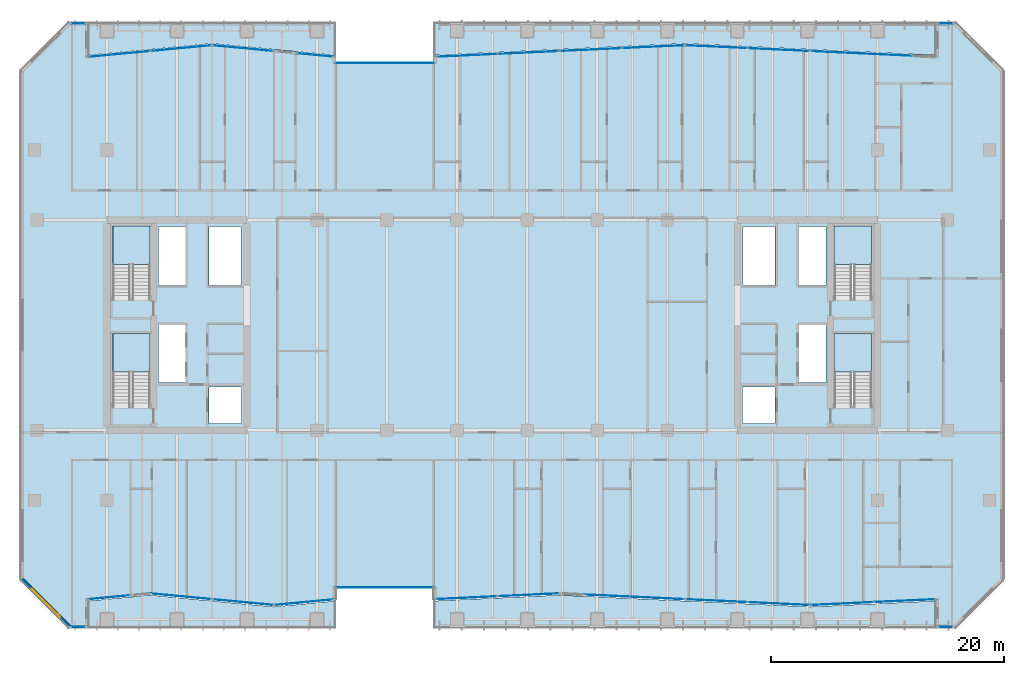
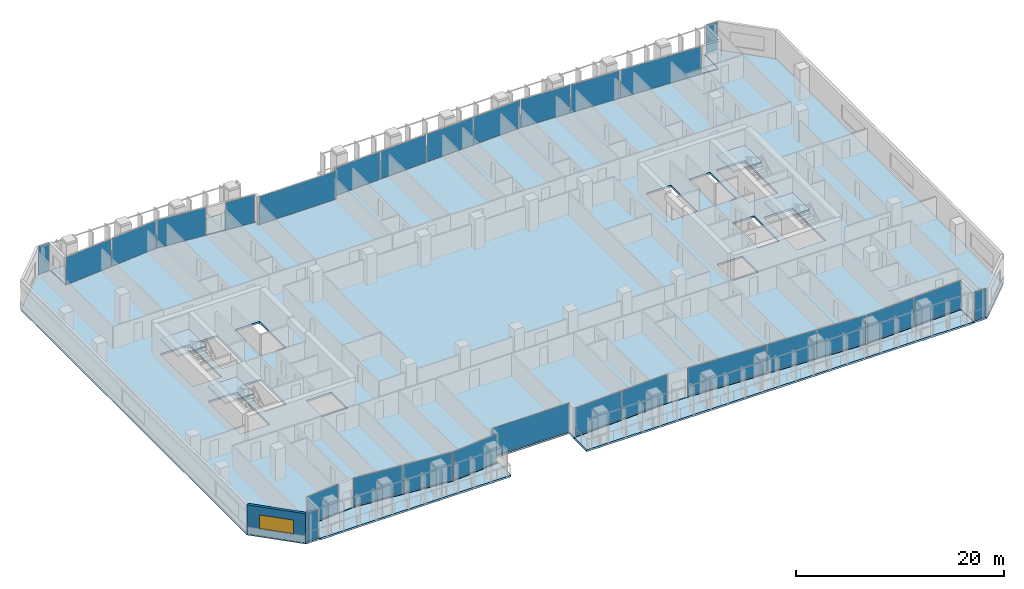
# One storey, part 17 of 31: 28 plates, 9 slabs, 1 wall, 1 window, 1 opening, 26 elements without a shape of their own.
"""IFC4 building model written with IfcOpenShell, lengths in metres."""

from ifc_helpers import new_model, si_unit, direction, frame, frame_2d, origin, origin_2d, place, context, subcontext, project, spatial, polyline, rectangle, outline, extrude, material, layer, layer_set, type_object, element, fill, aggregate, save


model = new_model("IFC4")

# Units and contexts
model_context = context("Model", 3, precision=1e-05, world=origin(), true_north=direction((0.0, 1.0)))
body_context = subcontext(model_context, "Body", "Model", "MODEL_VIEW")
ifc_project = project(units=[si_unit("LENGTHUNIT", "METRE"), si_unit("AREAUNIT", "SQUARE_METRE"), si_unit("VOLUMEUNIT", "CUBIC_METRE"), si_unit("PLANEANGLEUNIT", "RADIAN"), si_unit("MASSUNIT", "GRAM", prefix="KILO")], contexts=[model_context])

# Site, building, storey
site_placement = place(None, origin())
site = spatial("IfcSite", under=ifc_project, at=site_placement, CompositionType="ELEMENT")
building_placement = place(site_placement, origin())
building = spatial("IfcBuilding", under=site, at=building_placement, Name="Tanjung Sevakor Pilgrim Tower", CompositionType="ELEMENT")
storey_placement = place(building_placement, frame((0.0, 0.0, 58.739990234375)))
storey = spatial("IfcBuildingStorey", under=building, at=storey_placement, Name="L16", CompositionType="ELEMENT", Elevation=58.739990234375)

# Stair, slab
ifc_material_1 = material(Name="Concrete C40/50", Category="concrete")
stair_type = type_object("IfcStairType", Name="STAIR-ST-CR150", PredefinedType="HALF_TURN_STAIR", material=ifc_material_1)
stair_1_placement = place(storey_placement, origin())
stair_1 = element("IfcStair", 1, at=stair_1_placement, inside=storey, type_object=stair_type, Name="L16 West Core Exit Stair 1", PredefinedType="HALF_TURN_STAIR")
ifc_material_2 = material(Name="Concrete C40/50", Category="concrete")
ifc_layer_1 = layer(ifc_material_2, 0.199951171875)
ifc_layer_set_1 = layer_set([ifc_layer_1], Name="SL-LAND-200")
slab_type_1 = type_object("IfcSlabType", Name="SL-LAND-200", PredefinedType="LANDING", material=ifc_layer_set_1)
slab_1_placement = place(storey_placement, frame((0.0, 0.0, 1.614990234375)))
slab_1 = element("IfcSlab", 2, at=slab_1_placement, type_object=slab_type_1, Name="TS-W1 landing 1", PredefinedType="LANDING", context=body_context, shape_type="SweptSolid", body=[
    extrude(outline(polyline([(27.699951171875, 29.60009765625), (27.699951171875, 32.89990234375), (24.5, 32.89990234375), (24.5, 29.60009765625), (27.699951171875, 29.60009765625)])), origin(), (0.0, 0.0, 1.0), 0.199951171875),
])
aggregate(stair_1, [slab_1])

stair_2_placement = place(storey_placement, origin())
stair_2 = element("IfcStair", 3, at=stair_2_placement, inside=storey, type_object=stair_type, Name="L16 West Core Exit Stair 2", PredefinedType="HALF_TURN_STAIR")
slab_2_placement = place(storey_placement, frame((0.0, 0.0, 1.614990234375)))
slab_2 = element("IfcSlab", 4, at=slab_2_placement, type_object=slab_type_1, Name="TS-W2 landing 1", PredefinedType="LANDING", context=body_context, shape_type="SweptSolid", body=[
    extrude(outline(polyline([(27.699951171875, 38.800048828125), (27.699951171875, 42.10009765625), (24.5, 42.10009765625), (24.5, 38.800048828125), (27.699951171875, 38.800048828125)])), origin(), (0.0, 0.0, 1.0), 0.199951171875),
])
aggregate(stair_2, [slab_2])

stair_3_placement = place(storey_placement, origin())
stair_3 = element("IfcStair", 5, at=stair_3_placement, inside=storey, type_object=stair_type, Name="L16 East Core Exit Stair 1", PredefinedType="HALF_TURN_STAIR")
slab_3_placement = place(storey_placement, frame((0.0, 0.0, 1.614990234375)))
slab_3 = element("IfcSlab", 6, at=slab_3_placement, type_object=slab_type_1, Name="TS-E1 landing 1", PredefinedType="LANDING", context=body_context, shape_type="SweptSolid", body=[
    extrude(outline(polyline([(89.5, 29.60009765625), (89.5, 32.89990234375), (86.300048828125, 32.89990234375), (86.300048828125, 29.60009765625), (89.5, 29.60009765625)])), origin(), (0.0, 0.0, 1.0), 0.199951171875),
])
aggregate(stair_3, [slab_3])

stair_4_placement = place(storey_placement, origin())
stair_4 = element("IfcStair", 7, at=stair_4_placement, inside=storey, type_object=stair_type, Name="L16 East Core Exit Stair 2", PredefinedType="HALF_TURN_STAIR")
slab_4_placement = place(storey_placement, frame((0.0, 0.0, 1.614990234375)))
slab_4 = element("IfcSlab", 8, at=slab_4_placement, type_object=slab_type_1, Name="TS-E2 landing 1", PredefinedType="LANDING", context=body_context, shape_type="SweptSolid", body=[
    extrude(outline(polyline([(89.5, 38.800048828125), (89.5, 42.10009765625), (86.300048828125, 42.10009765625), (86.300048828125, 38.800048828125), (89.5, 38.800048828125)])), origin(), (0.0, 0.0, 1.0), 0.199951171875),
])
aggregate(stair_4, [slab_4])

# Slabs
ifc_material_3 = material(Name="Concrete C40/50", Category="concrete")
ifc_layer_2 = layer(ifc_material_3, 0.239990234375)
ifc_layer_set_2 = layer_set([ifc_layer_2], Name="SL-TER-240")
slab_type_2 = type_object("IfcSlabType", Name="SL-TER-240", PredefinedType="FLOOR", material=ifc_layer_set_2)
slab_5_placement = place(storey_placement, frame((0.0, 0.0, -0.219970703125)))
element("IfcSlab", 9, at=slab_5_placement, inside=storey, type_object=slab_type_2, Name="L16 Recessed S-Curve Terrace SW", PredefinedType="FLOOR", context=body_context, shape_type="SweptSolid", body=[
    extrude(outline(polyline([(22.39990234375, 7.60009765625), (43.60009765625, 7.60009765625), (43.60009765625, 9.97998046875), (38.300048828125, 9.47998046875), (33.0, 9.97998046875), (27.699951171875, 10.47998046875), (22.39990234375, 9.97998046875), (22.39990234375, 7.60009765625)])), origin(), (0.0, 0.0, 1.0), 0.219970703125),
])
slab_6_placement = place(storey_placement, frame((0.0, 0.0, -0.219970703125)))
element("IfcSlab", 10, at=slab_6_placement, inside=storey, type_object=slab_type_2, Name="L16 Recessed S-Curve Terrace NW", PredefinedType="FLOOR", context=body_context, shape_type="SweptSolid", body=[
    extrude(outline(polyline([(22.39990234375, 56.719970703125), (27.699951171875, 57.219970703125), (33.0, 57.719970703125), (38.300048828125, 57.219970703125), (43.60009765625, 56.719970703125), (43.60009765625, 59.60009765625), (22.39990234375, 59.60009765625), (22.39990234375, 56.719970703125)])), origin(), (0.0, 0.0, 1.0), 0.219970703125),
])
slab_7_placement = place(storey_placement, frame((0.0, 0.0, -0.219970703125)))
element("IfcSlab", 11, at=slab_7_placement, inside=storey, type_object=slab_type_2, Name="L16 Recessed S-Curve Terrace SE", PredefinedType="FLOOR", context=body_context, shape_type="SweptSolid", body=[
    extrude(outline(polyline([(52.0, 7.60009765625), (95.0, 7.60009765625), (95.0, 9.97998046875), (84.25, 9.47998046875), (73.5, 9.97998046875), (62.75, 10.47998046875), (52.0, 9.97998046875), (52.0, 7.60009765625)])), origin(), (0.0, 0.0, 1.0), 0.219970703125),
])
slab_8_placement = place(storey_placement, frame((0.0, 0.0, -0.219970703125)))
element("IfcSlab", 12, at=slab_8_placement, inside=storey, type_object=slab_type_2, Name="L16 Recessed S-Curve Terrace NE", PredefinedType="FLOOR", context=body_context, shape_type="SweptSolid", body=[
    extrude(outline(polyline([(52.0, 56.719970703125), (62.75, 57.219970703125), (73.5, 57.719970703125), (84.25, 57.219970703125), (95.0, 56.719970703125), (95.0, 59.60009765625), (52.0, 59.60009765625), (52.0, 56.719970703125)])), origin(), (0.0, 0.0, 1.0), 0.219970703125),
])
ifc_material_4 = material(Name="Concrete C40/50", Category="concrete")
ifc_layer_3 = layer(ifc_material_4, 0.219970703125)
ifc_layer_set_3 = layer_set([ifc_layer_3], Name="SL-TWR-220")
slab_type_3 = type_object("IfcSlabType", Name="SL-TWR-220", PredefinedType="FLOOR", material=ifc_layer_set_3)
slab_9_placement = place(storey_placement, frame((0.0, 0.0, -0.219970703125)))
element("IfcSlab", 13, at=slab_9_placement, inside=storey, type_object=slab_type_3, Name="L16 Floor Slab MAIN", PredefinedType="FLOOR", context=body_context, shape_type="SweptSolid", body=[
    extrude(outline(polyline([(20.846923828125, 7.679931640625), (22.320068359375, 7.679931640625), (22.39990234375, 10.06005859375), (27.699951171875, 10.56005859375), (33.0, 10.06005859375), (38.300048828125, 9.56005859375), (43.60009765625, 10.06005859375), (43.52001953125, 11.080078125), (52.080078125, 11.080078125), (52.0, 10.06005859375), (62.75, 10.56005859375), (73.5, 10.06005859375), (84.25, 9.56005859375), (95.0, 10.06005859375), (95.080078125, 7.679931640625), (96.552978515625, 7.679931640625), (100.719970703125, 11.846923828125), (100.719970703125, 55.35302734375), (96.552978515625, 59.52001953125), (95.080078125, 59.52001953125), (95.0, 56.639892578125), (84.25, 57.139892578125), (73.5, 57.639892578125), (62.75, 57.139892578125), (52.0, 56.639892578125), (52.080078125, 56.1201171875), (43.52001953125, 56.1201171875), (43.60009765625, 56.639892578125), (38.300048828125, 57.139892578125), (33.0, 57.639892578125), (27.699951171875, 57.139892578125), (22.39990234375, 56.639892578125), (22.320068359375, 59.52001953125), (20.846923828125, 59.52001953125), (16.679931640625, 55.35302734375), (16.679931640625, 11.846923828125), (20.846923828125, 7.679931640625)]), holes=[polyline([(27.699951171875, 26.60009765625), (27.699951171875, 32.89990234375), (24.5, 32.89990234375), (24.5, 26.60009765625), (27.699951171875, 26.60009765625)]), polyline([(27.699951171875, 35.800048828125), (27.699951171875, 42.10009765625), (24.5, 42.10009765625), (24.5, 35.800048828125), (27.699951171875, 35.800048828125)]), polyline([(89.5, 26.60009765625), (89.5, 32.89990234375), (86.300048828125, 32.89990234375), (86.300048828125, 26.60009765625), (89.5, 26.60009765625)]), polyline([(89.5, 35.800048828125), (89.5, 42.10009765625), (86.300048828125, 42.10009765625), (86.300048828125, 35.800048828125), (89.5, 35.800048828125)]), polyline([(32.75, 25.199951171875), (35.550048828125, 25.199951171875), (35.550048828125, 28.300048828125), (32.75, 28.300048828125), (32.75, 25.199951171875)]), polyline([(28.39990234375, 28.699951171875), (30.75, 28.699951171875), (30.75, 33.60009765625), (28.39990234375, 33.60009765625), (28.39990234375, 28.699951171875)]), polyline([(28.39990234375, 37.0), (30.75, 37.0), (30.75, 42.050048828125), (28.39990234375, 42.050048828125), (28.39990234375, 37.0)]), polyline([(32.75, 37.0), (35.5, 37.0), (35.5, 42.050048828125), (32.75, 42.050048828125), (32.75, 37.0)]), polyline([(78.449951171875, 25.199951171875), (81.25, 25.199951171875), (81.25, 28.300048828125), (78.449951171875, 28.300048828125), (78.449951171875, 25.199951171875)]), polyline([(83.25, 28.699951171875), (85.60009765625, 28.699951171875), (85.60009765625, 33.60009765625), (83.25, 33.60009765625), (83.25, 28.699951171875)]), polyline([(83.25, 37.0), (85.60009765625, 37.0), (85.60009765625, 42.050048828125), (83.25, 42.050048828125), (83.25, 37.0)]), polyline([(78.5, 37.0), (81.25, 37.0), (81.25, 42.050048828125), (78.5, 42.050048828125), (78.5, 37.0)])]), origin(), (0.0, 0.0, 1.0), 0.219970703125),
])

# Curtain wall, plate
ifc_material_5 = material(Name="Aluminium 6063-T6 and Low-E Glass", Category="aluminium")
ifc_layer_4 = layer(ifc_material_5, 0.179931640625)
ifc_layer_set_4 = layer_set([ifc_layer_4], Name="CW-SYS-CLEFT")
curtain_wall_type_1 = type_object("IfcCurtainWallType", Name="CW-SYS-CLEFT", PredefinedType="NOTDEFINED", material=ifc_layer_set_4)
curtain_wall_1_placement = place(storey_placement, origin())
curtain_wall_1 = element("IfcCurtainWall", 14, at=curtain_wall_1_placement, inside=storey, type_object=curtain_wall_type_1, Name="L16 Curtain Wall CW-CLF-L16-7", PredefinedType="NOTDEFINED")
ifc_material_6 = material(Name="Laminated Low-E Double Glazing", Category="glass")
ifc_layer_5 = layer(ifc_material_6, 0.028076171875)
ifc_layer_set_5 = layer_set([ifc_layer_5], Name="TYPE-CWP-GLZ1")
plate_type_1 = type_object("IfcPlateType", Name="TYPE-CWP-GLZ1", PredefinedType="CURTAIN_PANEL", material=ifc_layer_set_5)
plate_1_placement = place(storey_placement, frame((47.800048828125, 11.139892578125, 0.06494140625), z_axis=(0.0, 0.0, 1.0), x_axis=(1.0, 0.0, 0.0)))
plate_1 = element("IfcPlate", 15, at=plate_1_placement, type_object=plate_type_1, Name="CW-CLF panel 1.1", PredefinedType="CURTAIN_PANEL", context=body_context, shape_type="SweptSolid", body=[
    extrude(rectangle(XDim=8.530029296875, YDim=0.028076171875, at=origin_2d()), origin(), (0.0, 0.0, 1.0), 3.280029296875),
])
aggregate(curtain_wall_1, [plate_1])

curtain_wall_2_placement = place(storey_placement, origin())
curtain_wall_2 = element("IfcCurtainWall", 16, at=curtain_wall_2_placement, inside=storey, type_object=curtain_wall_type_1, Name="L16 Curtain Wall CW-CLF-L16-25", PredefinedType="NOTDEFINED")
plate_2_placement = place(storey_placement, frame((47.800048828125, 56.06005859375, 0.06494140625), z_axis=(0.0, 0.0, 1.0), x_axis=(-1.0, 0.0, 0.0)))
plate_2 = element("IfcPlate", 17, at=plate_2_placement, type_object=plate_type_1, Name="CW-CLF panel 1.1", PredefinedType="CURTAIN_PANEL", context=body_context, shape_type="SweptSolid", body=[
    extrude(rectangle(XDim=8.530029296875, YDim=0.028076171875, at=origin_2d()), origin(), (0.0, 0.0, 1.0), 3.280029296875),
])
aggregate(curtain_wall_2, [plate_2])

ifc_material_7 = material(Name="Aluminium 6063-T6 and Low-E Glass", Category="aluminium")
ifc_layer_6 = layer(ifc_material_7, 0.199951171875)
ifc_layer_set_6 = layer_set([ifc_layer_6], Name="CW-SYS-PRAY")
curtain_wall_type_2 = type_object("IfcCurtainWallType", Name="CW-SYS-PRAY", PredefinedType="NOTDEFINED", material=ifc_layer_set_6)
curtain_wall_3_placement = place(storey_placement, origin())
curtain_wall_3 = element("IfcCurtainWall", 18, at=curtain_wall_3_placement, inside=storey, type_object=curtain_wall_type_2, Name="L16 Curtain Wall CW-PRY-L16-0", PredefinedType="NOTDEFINED")
ifc_material_8 = material(Name="Solar-Control Low-E Acoustic Glazing", Category="glass")
ifc_layer_7 = layer(ifc_material_8, 0.031982421875)
ifc_layer_set_7 = layer_set([ifc_layer_7], Name="TYPE-CWP-GLZ2")
plate_type_2 = type_object("IfcPlateType", Name="TYPE-CWP-GLZ2", PredefinedType="CURTAIN_PANEL", material=ifc_layer_set_7)
plate_3_placement = place(storey_placement, frame((21.55908203125, 7.739990234375, 0.0751953125), z_axis=(0.0, 0.0, 1.0), x_axis=(1.0, 0.0, 0.0)))
plate_3 = element("IfcPlate", 19, at=plate_3_placement, type_object=plate_type_2, Name="CW-PRY panel 1.1", PredefinedType="CURTAIN_PANEL", context=body_context, shape_type="SweptSolid", body=[
    extrude(rectangle(XDim=1.251953125, YDim=0.031982421875, at=origin_2d()), origin(), (0.0, 0.0, 1.0), 3.260009765625),
])
aggregate(curtain_wall_3, [plate_3])

curtain_wall_4_placement = place(storey_placement, origin())
curtain_wall_4 = element("IfcCurtainWall", 20, at=curtain_wall_4_placement, inside=storey, type_object=curtain_wall_type_2, Name="L16 Curtain Wall CW-PRY-L16-2A", PredefinedType="NOTDEFINED")
plate_4_placement = place(storey_placement, frame((24.15380859375, 10.2861328125, 0.0751953125), z_axis=(0.0, 0.0, 1.0), x_axis=(0.995579549092, 0.09392210299, 0.0)))
plate_4 = element("IfcPlate", 21, at=plate_4_placement, type_object=plate_type_2, Name="CW-PRY panel 1.1", PredefinedType="CURTAIN_PANEL", context=body_context, shape_type="SweptSolid", body=[
    extrude(rectangle(XDim=3.654296875, YDim=0.031982421875, at=origin_2d()), origin(), (0.0, 0.0, 1.0), 3.260009765625),
])
aggregate(curtain_wall_4, [plate_4])

curtain_wall_5_placement = place(storey_placement, origin())
curtain_wall_5 = element("IfcCurtainWall", 22, at=curtain_wall_5_placement, inside=storey, type_object=curtain_wall_type_2, Name="L16 Curtain Wall CW-PRY-L16-3", PredefinedType="NOTDEFINED")
plate_5_placement = place(storey_placement, frame((30.3564453125, 10.3701171875, 0.0751953125), z_axis=(0.0, 0.0, 1.0), x_axis=(0.995580130826, -0.09391593637, 0.0)))
plate_5 = element("IfcPlate", 23, at=plate_5_placement, type_object=plate_type_2, Name="CW-PRY panel 1.1", PredefinedType="CURTAIN_PANEL", context=body_context, shape_type="SweptSolid", body=[
    extrude(rectangle(XDim=5.186767578125, YDim=0.031982421875, at=origin_2d()), origin(), (0.0, 0.0, 1.0), 3.260009765625),
])
aggregate(curtain_wall_5, [plate_5])

curtain_wall_6_placement = place(storey_placement, origin())
curtain_wall_6 = element("IfcCurtainWall", 24, at=curtain_wall_6_placement, inside=storey, type_object=curtain_wall_type_2, Name="L16 Curtain Wall CW-PRY-L16-4", PredefinedType="NOTDEFINED")
plate_6_placement = place(storey_placement, frame((35.656494140625, 9.8701171875, 0.0751953125), z_axis=(0.0, 0.0, 1.0), x_axis=(0.995578871446, -0.093929285798, 0.0)))
plate_6 = element("IfcPlate", 25, at=plate_6_placement, type_object=plate_type_2, Name="CW-PRY panel 1.1", PredefinedType="CURTAIN_PANEL", context=body_context, shape_type="SweptSolid", body=[
    extrude(rectangle(XDim=5.160400390625, YDim=0.031982421875, at=origin_2d()), origin(), (0.0, 0.0, 1.0), 3.260009765625),
])
aggregate(curtain_wall_6, [plate_6])

curtain_wall_7_placement = place(storey_placement, origin())
curtain_wall_7 = element("IfcCurtainWall", 26, at=curtain_wall_7_placement, inside=storey, type_object=curtain_wall_type_2, Name="L16 Curtain Wall CW-PRY-L16-5", PredefinedType="NOTDEFINED")
plate_7_placement = place(storey_placement, frame((40.8798828125, 9.864013671875, 0.0751953125), z_axis=(0.0, 0.0, 1.0), x_axis=(0.995579366551, 0.09392403791, 0.0)))
plate_7 = element("IfcPlate", 27, at=plate_7_placement, type_object=plate_type_2, Name="CW-PRY panel 1.1", PredefinedType="CURTAIN_PANEL", context=body_context, shape_type="SweptSolid", body=[
    extrude(rectangle(XDim=5.032958984375, YDim=0.031982421875, at=origin_2d()), origin(), (0.0, 0.0, 1.0), 3.260009765625),
])
aggregate(curtain_wall_7, [plate_7])

# Curtain wall, plates
curtain_wall_8_placement = place(storey_placement, origin())
curtain_wall_8 = element("IfcCurtainWall", 28, at=curtain_wall_8_placement, inside=storey, type_object=curtain_wall_type_2, Name="L16 Curtain Wall CW-PRY-L16-9", PredefinedType="NOTDEFINED")
plate_8_placement = place(storey_placement, frame((54.811279296875, 10.2509765625, 0.0751953125), z_axis=(0.0, 0.0, 1.0), x_axis=(0.998920035269, 0.046462491741, 0.0)))
plate_8 = element("IfcPlate", 29, at=plate_8_placement, type_object=plate_type_2, Name="CW-PRY panel 1.1", PredefinedType="CURTAIN_PANEL", context=body_context, shape_type="SweptSolid", body=[
    extrude(rectangle(XDim=5.1982421875, YDim=0.031982421875, at=origin_2d()), origin(), (0.0, 0.0, 1.0), 3.260009765625),
])
plate_9_placement = place(storey_placement, frame((60.078857421875, 10.495849609375, 0.0751953125), z_axis=(0.0, 0.0, 1.0), x_axis=(0.998920035269, 0.046462491741, 0.0)))
plate_9 = element("IfcPlate", 30, at=plate_9_placement, type_object=plate_type_2, Name="CW-PRY panel 2.1", PredefinedType="CURTAIN_PANEL", context=body_context, shape_type="SweptSolid", body=[
    extrude(rectangle(XDim=5.1982421875, YDim=0.031982421875, at=origin_2d()), origin(), (0.0, 0.0, 1.0), 3.260009765625),
])
aggregate(curtain_wall_8, [plate_8, plate_9])

# Curtain wall, plate
curtain_wall_9_placement = place(storey_placement, origin())
curtain_wall_9 = element("IfcCurtainWall", 31, at=curtain_wall_9_placement, inside=storey, type_object=curtain_wall_type_2, Name="L16 Curtain Wall CW-PRY-L16-10B", PredefinedType="NOTDEFINED")
plate_10_placement = place(storey_placement, frame((69.1572265625, 10.322265625, 0.0751953125), z_axis=(0.0, 0.0, 1.0), x_axis=(0.998919503456, -0.046473924043, 0.0)))
plate_10 = element("IfcPlate", 32, at=plate_10_placement, type_object=plate_type_2, Name="CW-PRY panel 1.1", PredefinedType="CURTAIN_PANEL", context=body_context, shape_type="SweptSolid", body=[
    extrude(rectangle(XDim=8.55810546875, YDim=0.031982421875, at=origin_2d()), origin(), (0.0, 0.0, 1.0), 3.260009765625),
])
aggregate(curtain_wall_9, [plate_10])

# Curtain wall, plates
curtain_wall_10_placement = place(storey_placement, origin())
curtain_wall_10 = element("IfcCurtainWall", 33, at=curtain_wall_10_placement, inside=storey, type_object=curtain_wall_type_2, Name="L16 Curtain Wall CW-PRY-L16-11", PredefinedType="NOTDEFINED")
plate_11_placement = place(storey_placement, frame((76.211181640625, 9.994140625, 0.0751953125), z_axis=(0.0, 0.0, 1.0), x_axis=(0.998920507529, -0.046452337274, 0.0)))
plate_11 = element("IfcPlate", 34, at=plate_11_placement, type_object=plate_type_2, Name="CW-PRY panel 1.1", PredefinedType="CURTAIN_PANEL", context=body_context, shape_type="SweptSolid", body=[
    extrude(rectangle(XDim=5.26513671875, YDim=0.031982421875, at=origin_2d()), origin(), (0.0, 0.0, 1.0), 3.260009765625),
])
plate_12_placement = place(storey_placement, frame((81.54541015625, 9.745849609375, 0.0751953125), z_axis=(0.0, 0.0, 1.0), x_axis=(0.998920507529, -0.046452337274, 0.0)))
plate_12 = element("IfcPlate", 35, at=plate_12_placement, type_object=plate_type_2, Name="CW-PRY panel 2.1", PredefinedType="CURTAIN_PANEL", context=body_context, shape_type="SweptSolid", body=[
    extrude(rectangle(XDim=5.26513671875, YDim=0.031982421875, at=origin_2d()), origin(), (0.0, 0.0, 1.0), 3.260009765625),
])
aggregate(curtain_wall_10, [plate_11, plate_12])

curtain_wall_11_placement = place(storey_placement, origin())
curtain_wall_11 = element("IfcCurtainWall", 36, at=curtain_wall_11_placement, inside=storey, type_object=curtain_wall_type_2, Name="L16 Curtain Wall CW-PRY-L16-12", PredefinedType="NOTDEFINED")
plate_13_placement = place(storey_placement, frame((86.9912109375, 9.747802734375, 0.0751953125), z_axis=(0.0, 0.0, 1.0), x_axis=(0.99892013558, 0.046460335048, 0.0)))
plate_13 = element("IfcPlate", 37, at=plate_13_placement, type_object=plate_type_2, Name="CW-PRY panel 1.1", PredefinedType="CURTAIN_PANEL", context=body_context, shape_type="SweptSolid", body=[
    extrude(rectangle(XDim=5.33837890625, YDim=0.031982421875, at=origin_2d()), origin(), (0.0, 0.0, 1.0), 3.260009765625),
])
plate_14_placement = place(storey_placement, frame((92.398681640625, 9.999267578125, 0.0751953125), z_axis=(0.0, 0.0, 1.0), x_axis=(0.99892013558, 0.046460335048, 0.0)))
plate_14 = element("IfcPlate", 38, at=plate_14_placement, type_object=plate_type_2, Name="CW-PRY panel 2.1", PredefinedType="CURTAIN_PANEL", context=body_context, shape_type="SweptSolid", body=[
    extrude(rectangle(XDim=5.33837890625, YDim=0.031982421875, at=origin_2d()), origin(), (0.0, 0.0, 1.0), 3.260009765625),
])
aggregate(curtain_wall_11, [plate_13, plate_14])

# Curtain wall, plate
curtain_wall_12_placement = place(storey_placement, origin())
curtain_wall_12 = element("IfcCurtainWall", 39, at=curtain_wall_12_placement, inside=storey, type_object=curtain_wall_type_2, Name="L16 Curtain Wall CW-PRY-L16-14", PredefinedType="NOTDEFINED")
plate_15_placement = place(storey_placement, frame((95.841064453125, 7.739990234375, 0.0751953125), z_axis=(0.0, 0.0, 1.0), x_axis=(1.0, 0.0, 0.0)))
plate_15 = element("IfcPlate", 40, at=plate_15_placement, type_object=plate_type_2, Name="CW-PRY panel 1.1", PredefinedType="CURTAIN_PANEL", context=body_context, shape_type="SweptSolid", body=[
    extrude(rectangle(XDim=1.251953125, YDim=0.031982421875, at=origin_2d()), origin(), (0.0, 0.0, 1.0), 3.260009765625),
])
aggregate(curtain_wall_12, [plate_15])

curtain_wall_13_placement = place(storey_placement, origin())
curtain_wall_13 = element("IfcCurtainWall", 41, at=curtain_wall_13_placement, inside=storey, type_object=curtain_wall_type_2, Name="L16 Curtain Wall CW-PRY-L16-18", PredefinedType="NOTDEFINED")
plate_16_placement = place(storey_placement, frame((95.841064453125, 59.4599609375, 0.0751953125), z_axis=(0.0, 0.0, 1.0), x_axis=(-1.0, 0.0, 0.0)))
plate_16 = element("IfcPlate", 42, at=plate_16_placement, type_object=plate_type_2, Name="CW-PRY panel 1.1", PredefinedType="CURTAIN_PANEL", context=body_context, shape_type="SweptSolid", body=[
    extrude(rectangle(XDim=1.251953125, YDim=0.031982421875, at=origin_2d()), origin(), (0.0, 0.0, 1.0), 3.260009765625),
])
aggregate(curtain_wall_13, [plate_16])

curtain_wall_14_placement = place(storey_placement, origin())
curtain_wall_14 = element("IfcCurtainWall", 43, at=curtain_wall_14_placement, inside=storey, type_object=curtain_wall_type_2, Name="L16 Curtain Wall CW-PRY-L16-20B", PredefinedType="NOTDEFINED")
plate_17_placement = place(storey_placement, frame((88.662841796875, 56.87451171875, 0.0751953125), z_axis=(0.0, 0.0, 1.0), x_axis=(-0.998919573692, 0.046472414343, 0.0)))
plate_17 = element("IfcPlate", 44, at=plate_17_placement, type_object=plate_type_2, Name="CW-PRY panel 1.1", PredefinedType="CURTAIN_PANEL", context=body_context, shape_type="SweptSolid", body=[
    extrude(rectangle(XDim=8.6982421875, YDim=0.031982421875, at=origin_2d()), origin(), (0.0, 0.0, 1.0), 3.260009765625),
])
aggregate(curtain_wall_14, [plate_17])

# Curtain wall, plates
curtain_wall_15_placement = place(storey_placement, origin())
curtain_wall_15 = element("IfcCurtainWall", 45, at=curtain_wall_15_placement, inside=storey, type_object=curtain_wall_type_2, Name="L16 Curtain Wall CW-PRY-L16-21", PredefinedType="NOTDEFINED")
plate_18_placement = place(storey_placement, frame((81.538818359375, 57.2060546875, 0.0751953125), z_axis=(0.0, 0.0, 1.0), x_axis=(-0.998920507529, 0.046452337274, 0.0)))
plate_18 = element("IfcPlate", 46, at=plate_18_placement, type_object=plate_type_2, Name="CW-PRY panel 1.1", PredefinedType="CURTAIN_PANEL", context=body_context, shape_type="SweptSolid", body=[
    extrude(rectangle(XDim=5.26513671875, YDim=0.031982421875, at=origin_2d()), origin(), (0.0, 0.0, 1.0), 3.260009765625),
])
plate_19_placement = place(storey_placement, frame((76.20458984375, 57.4541015625, 0.0751953125), z_axis=(0.0, 0.0, 1.0), x_axis=(-0.998920507529, 0.046452337274, 0.0)))
plate_19 = element("IfcPlate", 47, at=plate_19_placement, type_object=plate_type_2, Name="CW-PRY panel 2.1", PredefinedType="CURTAIN_PANEL", context=body_context, shape_type="SweptSolid", body=[
    extrude(rectangle(XDim=5.26513671875, YDim=0.031982421875, at=origin_2d()), origin(), (0.0, 0.0, 1.0), 3.260009765625),
])
aggregate(curtain_wall_15, [plate_18, plate_19])

curtain_wall_16_placement = place(storey_placement, origin())
curtain_wall_16 = element("IfcCurtainWall", 48, at=curtain_wall_16_placement, inside=storey, type_object=curtain_wall_type_2, Name="L16 Curtain Wall CW-PRY-L16-22", PredefinedType="NOTDEFINED")
plate_20_placement = place(storey_placement, frame((70.79541015625, 57.4541015625, 0.0751953125), z_axis=(0.0, 0.0, 1.0), x_axis=(-0.998920507529, -0.046452337274, 0.0)))
plate_20 = element("IfcPlate", 49, at=plate_20_placement, type_object=plate_type_2, Name="CW-PRY panel 1.1", PredefinedType="CURTAIN_PANEL", context=body_context, shape_type="SweptSolid", body=[
    extrude(rectangle(XDim=5.26513671875, YDim=0.031982421875, at=origin_2d()), origin(), (0.0, 0.0, 1.0), 3.260009765625),
])
plate_21_placement = place(storey_placement, frame((65.461181640625, 57.2060546875, 0.0751953125), z_axis=(0.0, 0.0, 1.0), x_axis=(-0.998920507529, -0.046452337274, 0.0)))
plate_21 = element("IfcPlate", 50, at=plate_21_placement, type_object=plate_type_2, Name="CW-PRY panel 2.1", PredefinedType="CURTAIN_PANEL", context=body_context, shape_type="SweptSolid", body=[
    extrude(rectangle(XDim=5.26513671875, YDim=0.031982421875, at=origin_2d()), origin(), (0.0, 0.0, 1.0), 3.260009765625),
])
aggregate(curtain_wall_16, [plate_20, plate_21])

curtain_wall_17_placement = place(storey_placement, origin())
curtain_wall_17 = element("IfcCurtainWall", 51, at=curtain_wall_17_placement, inside=storey, type_object=curtain_wall_type_2, Name="L16 Curtain Wall CW-PRY-L16-23", PredefinedType="NOTDEFINED")
plate_22_placement = place(storey_placement, frame((60.083740234375, 56.955810546875, 0.0751953125), z_axis=(0.0, 0.0, 1.0), x_axis=(-0.998920045455, -0.04646227273, 0.0)))
plate_22 = element("IfcPlate", 52, at=plate_22_placement, type_object=plate_type_2, Name="CW-PRY panel 1.1", PredefinedType="CURTAIN_PANEL", context=body_context, shape_type="SweptSolid", body=[
    extrude(rectangle(XDim=5.201416015625, YDim=0.031982421875, at=origin_2d()), origin(), (0.0, 0.0, 1.0), 3.260009765625),
])
plate_23_placement = place(storey_placement, frame((54.812744140625, 56.710693359375, 0.0751953125), z_axis=(0.0, 0.0, 1.0), x_axis=(-0.998920045455, -0.04646227273, 0.0)))
plate_23 = element("IfcPlate", 53, at=plate_23_placement, type_object=plate_type_2, Name="CW-PRY panel 2.1", PredefinedType="CURTAIN_PANEL", context=body_context, shape_type="SweptSolid", body=[
    extrude(rectangle(XDim=5.201416015625, YDim=0.031982421875, at=origin_2d()), origin(), (0.0, 0.0, 1.0), 3.260009765625),
])
aggregate(curtain_wall_17, [plate_22, plate_23])

# Curtain wall, plate
curtain_wall_18_placement = place(storey_placement, origin())
curtain_wall_18 = element("IfcCurtainWall", 54, at=curtain_wall_18_placement, inside=storey, type_object=curtain_wall_type_2, Name="L16 Curtain Wall CW-PRY-L16-27A", PredefinedType="NOTDEFINED")
plate_24_placement = place(storey_placement, frame((41.84228515625, 56.7451171875, 0.0751953125), z_axis=(0.0, 0.0, 1.0), x_axis=(-0.995580805494, 0.0939087841, 0.0)))
plate_24 = element("IfcPlate", 55, at=plate_24_placement, type_object=plate_type_2, Name="CW-PRY panel 1.1", PredefinedType="CURTAIN_PANEL", context=body_context, shape_type="SweptSolid", body=[
    extrude(rectangle(XDim=3.099853515625, YDim=0.031982421875, at=origin_2d()), origin(), (0.0, 0.0, 1.0), 3.260009765625),
])
aggregate(curtain_wall_18, [plate_24])

curtain_wall_19_placement = place(storey_placement, origin())
curtain_wall_19 = element("IfcCurtainWall", 56, at=curtain_wall_19_placement, inside=storey, type_object=curtain_wall_type_2, Name="L16 Curtain Wall CW-PRY-L16-28", PredefinedType="NOTDEFINED")
plate_25_placement = place(storey_placement, frame((35.6435546875, 57.330078125, 0.0751953125), z_axis=(0.0, 0.0, 1.0), x_axis=(-0.995578871446, 0.093929285798, 0.0)))
plate_25 = element("IfcPlate", 57, at=plate_25_placement, type_object=plate_type_2, Name="CW-PRY panel 1.1", PredefinedType="CURTAIN_PANEL", context=body_context, shape_type="SweptSolid", body=[
    extrude(rectangle(XDim=5.160400390625, YDim=0.031982421875, at=origin_2d()), origin(), (0.0, 0.0, 1.0), 3.260009765625),
])
aggregate(curtain_wall_19, [plate_25])

curtain_wall_20_placement = place(storey_placement, origin())
curtain_wall_20 = element("IfcCurtainWall", 58, at=curtain_wall_20_placement, inside=storey, type_object=curtain_wall_type_2, Name="L16 Curtain Wall CW-PRY-L16-29", PredefinedType="NOTDEFINED")
plate_26_placement = place(storey_placement, frame((30.3564453125, 57.330078125, 0.0751953125), z_axis=(0.0, 0.0, 1.0), x_axis=(-0.995578871446, -0.093929285798, 0.0)))
plate_26 = element("IfcPlate", 59, at=plate_26_placement, type_object=plate_type_2, Name="CW-PRY panel 1.1", PredefinedType="CURTAIN_PANEL", context=body_context, shape_type="SweptSolid", body=[
    extrude(rectangle(XDim=5.160400390625, YDim=0.031982421875, at=origin_2d()), origin(), (0.0, 0.0, 1.0), 3.260009765625),
])
aggregate(curtain_wall_20, [plate_26])

curtain_wall_21_placement = place(storey_placement, origin())
curtain_wall_21 = element("IfcCurtainWall", 60, at=curtain_wall_21_placement, inside=storey, type_object=curtain_wall_type_2, Name="L16 Curtain Wall CW-PRY-L16-30", PredefinedType="NOTDEFINED")
plate_27_placement = place(storey_placement, frame((24.986572265625, 56.823486328125, 0.0751953125), z_axis=(0.0, 0.0, 1.0), x_axis=(-0.995580243534, -0.093914741568, 0.0)))
plate_27 = element("IfcPlate", 61, at=plate_27_placement, type_object=plate_type_2, Name="CW-PRY panel 1.1", PredefinedType="CURTAIN_PANEL", context=body_context, shape_type="SweptSolid", body=[
    extrude(rectangle(XDim=5.327392578125, YDim=0.031982421875, at=origin_2d()), origin(), (0.0, 0.0, 1.0), 3.260009765625),
])
aggregate(curtain_wall_21, [plate_27])

curtain_wall_22_placement = place(storey_placement, origin())
curtain_wall_22 = element("IfcCurtainWall", 62, at=curtain_wall_22_placement, inside=storey, type_object=curtain_wall_type_2, Name="L16 Curtain Wall CW-PRY-L16-32", PredefinedType="NOTDEFINED")
plate_28_placement = place(storey_placement, frame((21.55908203125, 59.4599609375, 0.0751953125), z_axis=(0.0, 0.0, 1.0), x_axis=(-1.0, 0.0, 0.0)))
plate_28 = element("IfcPlate", 63, at=plate_28_placement, type_object=plate_type_2, Name="CW-PRY panel 1.1", PredefinedType="CURTAIN_PANEL", context=body_context, shape_type="SweptSolid", body=[
    extrude(rectangle(XDim=1.251953125, YDim=0.031982421875, at=origin_2d()), origin(), (0.0, 0.0, 1.0), 3.260009765625),
])
aggregate(curtain_wall_22, [plate_28])

# Wall, opening, window
ifc_material_9 = material(Name="Precast concrete C45/55", Category="concrete")
ifc_layer_8 = layer(ifc_material_9, 0.280029296875)
ifc_layer_set_8 = layer_set([ifc_layer_8], Name="WT-EW-STN2")
wall_type = type_object("IfcWallType", Name="WT-EW-STN2", PredefinedType="SOLIDWALL", material=ifc_layer_set_8)
wall_placement = place(storey_placement, frame((16.739990234375, 11.85791015625, 0.0), z_axis=(0.0, 0.0, 1.0), x_axis=(0.707106781187, -0.707106781187, 0.0)))
wall = element("IfcWall", 64, at=wall_placement, inside=storey, type_object=wall_type, Name="L16 MAIN Sculpted Corner Wall 35", PredefinedType="SOLIDWALL", context=body_context, shape_type="SweptSolid", body=[
    extrude(rectangle(XDim=5.82373046875, YDim=0.280029296875, at=frame_2d((2.911865234375, 0.0))), origin(), (0.0, 0.0, 1.0), 3.409912109375),
])
opening_placement = place(wall_placement, frame((1.2119140625, 0.0, 0.780029296875)))
opening = element("IfcOpeningElement", 65, at=opening_placement, cuts=wall, Name="Opening WN-CHM-1660", PredefinedType="OPENING", context=body_context, shape_type="SweptSolid", body=[
    extrude(rectangle(XDim=3.39990234375, YDim=1.659912109375, at=frame_2d((1.699951171875, 0.830078125))), frame((0.0, 0.14990234375, 0.0), z_axis=(0.0, -1.0, 0.0), x_axis=(1.0, 0.0, 0.0)), (0.0, 0.0, 1.0), 0.300048828125),
])
ifc_material_10 = material(Name="Thermally Broken Aluminium and Low-E Glass", Category="aluminium")
window_type = type_object("IfcWindowType", Name="WTYP-WN-CHM-1660", PartitioningType="DOUBLE_PANEL_VERTICAL", PredefinedType="WINDOW", material=ifc_material_10)
window_placement = place(opening_placement, origin())
window = element("IfcWindow", 66, at=window_placement, inside=storey, type_object=window_type, Name="L16 Facade Window 01", OverallHeight=1.659912109375, OverallWidth=3.39990234375, PartitioningType="SINGLE_PANEL", PredefinedType="WINDOW", context=body_context, shape_type="SweptSolid", body=[
    extrude(rectangle(XDim=3.39990234375, YDim=1.659912109375, at=frame_2d((1.699951171875, 0.830078125))), frame((0.0, 0.030029296875, 0.0), z_axis=(0.0, -1.0, 0.0), x_axis=(1.0, 0.0, 0.0)), (0.0, 0.0, 1.0), 0.06005859375),
])
fill(opening, window)

save(model, "model.ifc")
